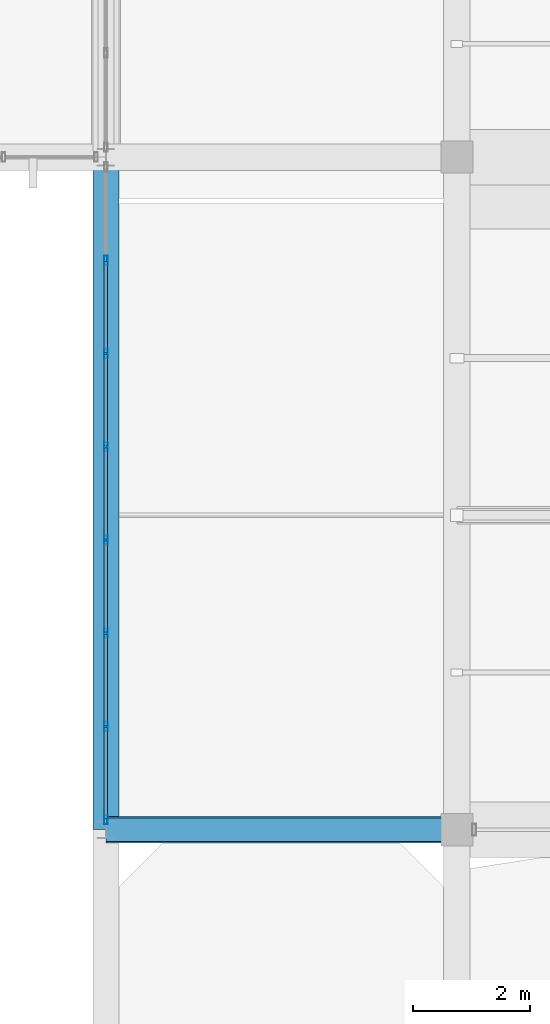
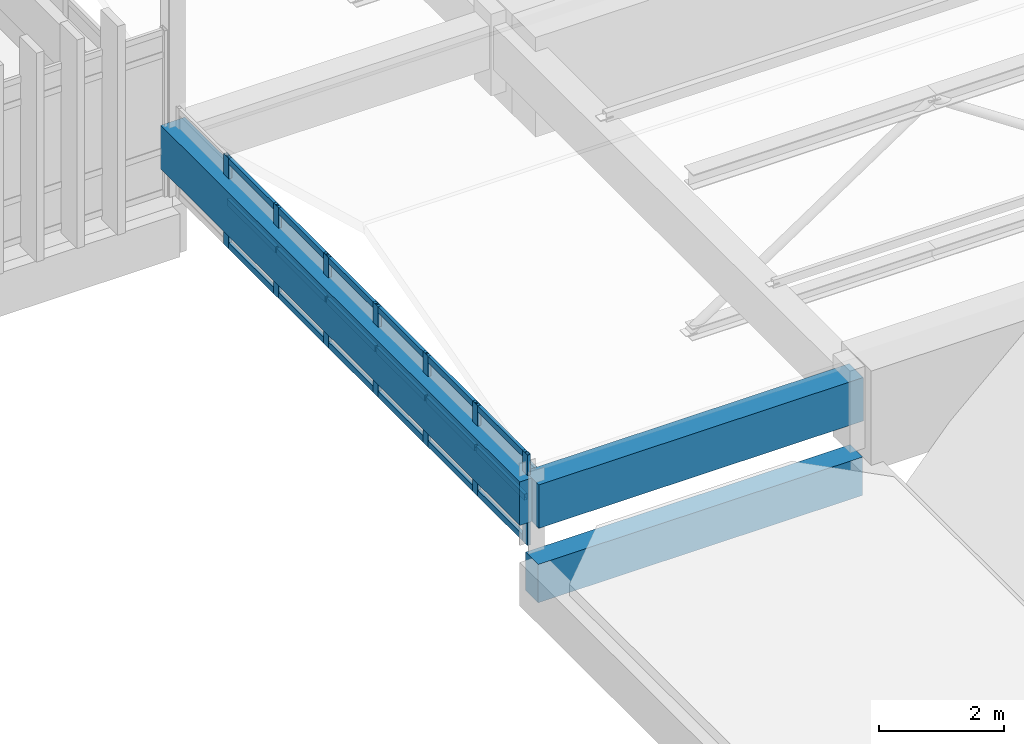
# One storey, part 24 of 82: 25 members, 3 beams, 1 element without a shape of its own.
"""IFC4 building model written with IfcOpenShell, lengths in metres."""

from ifc_helpers import new_model, si_unit, direction, frame, origin, origin_2d, place, context, subcontext, project, spatial, rectangle, hollow_rectangle, extrude, material, layer, layer_set, material_profile, profile_set, type_object, element, aggregate, save


model = new_model("IFC4")

# Units and contexts
model_context = context("Model", 3, precision=1e-05, world=origin(), true_north=direction((0.0, 1.0)))
body_context = subcontext(model_context, "Body", "Model", "MODEL_VIEW")
ifc_project = project(units=[si_unit("LENGTHUNIT", "METRE"), si_unit("AREAUNIT", "SQUARE_METRE"), si_unit("VOLUMEUNIT", "CUBIC_METRE"), si_unit("PLANEANGLEUNIT", "RADIAN"), si_unit("MASSUNIT", "GRAM", prefix="KILO")], contexts=[model_context])

# Site, building, storey
site_placement = place(None, origin())
site = spatial("IfcSite", under=ifc_project, at=site_placement, CompositionType="ELEMENT")
building_placement = place(site_placement, origin())
building = spatial("IfcBuilding", under=site, at=building_placement, Name="Mersad Railyard Sports Hall", CompositionType="ELEMENT")
storey_placement = place(building_placement, frame((0.0, 0.0, 13.199951171875)))
storey = spatial("IfcBuildingStorey", under=building, at=storey_placement, Name="L03", CompositionType="ELEMENT", Elevation=13.199951171875)

# Curtain wall, members
ifc_material_1 = material(Name="Aluminium 6063-T6", Category="aluminium")
ifc_layer = layer(ifc_material_1, 0.159912109375)
ifc_layer_set = layer_set([ifc_layer], Name="Aluminium 6063-T6")
curtain_wall_type = type_object("IfcCurtainWallType", Name="ARC-CW-CW21", PredefinedType="USERDEFINED", material=ifc_layer_set)
curtain_wall_placement = place(storey_placement, origin())
curtain_wall = element("IfcCurtainWall", 1, at=curtain_wall_placement, inside=storey, type_object=curtain_wall_type, Name="Curtain wall CW21-0080", ObjectType="CURTAIN WALL", PredefinedType="USERDEFINED")
ifc_material_profile_1 = material_profile(ifc_material_1, hollow_rectangle(XDim=0.06005859375, YDim=0.159912109375, WallThickness=0.00390625, at=origin_2d()), Name="AL MULLION 60x160x4")
ifc_profile_set_1 = profile_set([ifc_material_profile_1], Name="Aluminium 6063-T6")
member_type_1 = type_object("IfcMemberType", Name="ARC-CW-MUL01", PredefinedType="MULLION", material=ifc_profile_set_1)
member_1_placement = place(storey_placement, frame((131.0, 73.669921875, -0.02001953125), z_axis=(0.0, 0.0, 1.0), x_axis=(1.0, 0.0, 0.0)))
member_1 = element("IfcMember", 2, at=member_1_placement, type_object=member_type_1, Name="CW21 Mullion 1", PredefinedType="MULLION", context=body_context, shape_type="SweptSolid", body=[
    extrude(hollow_rectangle(XDim=0.06005859375, YDim=0.159912109375, WallThickness=0.00390625, at=origin_2d()), origin(), (0.0, 0.0, 1.0), 1.77001953125),
])
member_2_placement = place(storey_placement, frame((131.0, 75.264404296875, -0.02001953125), z_axis=(0.0, 0.0, 1.0), x_axis=(1.0, 0.0, 0.0)))
member_2 = element("IfcMember", 3, at=member_2_placement, type_object=member_type_1, Name="CW21 Mullion 2", PredefinedType="MULLION", context=body_context, shape_type="SweptSolid", body=[
    extrude(hollow_rectangle(XDim=0.06005859375, YDim=0.159912109375, WallThickness=0.00390625, at=origin_2d()), origin(), (0.0, 0.0, 1.0), 1.77001953125),
])
member_3_placement = place(storey_placement, frame((131.0, 76.858642578125, -0.02001953125), z_axis=(0.0, 0.0, 1.0), x_axis=(1.0, 0.0, 0.0)))
member_3 = element("IfcMember", 4, at=member_3_placement, type_object=member_type_1, Name="CW21 Mullion 3", PredefinedType="MULLION", context=body_context, shape_type="SweptSolid", body=[
    extrude(hollow_rectangle(XDim=0.06005859375, YDim=0.159912109375, WallThickness=0.00390625, at=origin_2d()), origin(), (0.0, 0.0, 1.0), 1.77001953125),
])
member_4_placement = place(storey_placement, frame((131.0, 78.452880859375, -0.02001953125), z_axis=(0.0, 0.0, 1.0), x_axis=(1.0, 0.0, 0.0)))
member_4 = element("IfcMember", 5, at=member_4_placement, type_object=member_type_1, Name="CW21 Mullion 4", PredefinedType="MULLION", context=body_context, shape_type="SweptSolid", body=[
    extrude(hollow_rectangle(XDim=0.06005859375, YDim=0.159912109375, WallThickness=0.00390625, at=origin_2d()), origin(), (0.0, 0.0, 1.0), 1.77001953125),
])
member_5_placement = place(storey_placement, frame((131.0, 80.047119140625, -0.02001953125), z_axis=(0.0, 0.0, 1.0), x_axis=(1.0, 0.0, 0.0)))
member_5 = element("IfcMember", 6, at=member_5_placement, type_object=member_type_1, Name="CW21 Mullion 5", PredefinedType="MULLION", context=body_context, shape_type="SweptSolid", body=[
    extrude(hollow_rectangle(XDim=0.06005859375, YDim=0.159912109375, WallThickness=0.00390625, at=origin_2d()), origin(), (0.0, 0.0, 1.0), 1.77001953125),
])
member_6_placement = place(storey_placement, frame((131.0, 81.641357421875, -0.02001953125), z_axis=(0.0, 0.0, 1.0), x_axis=(1.0, 0.0, 0.0)))
member_6 = element("IfcMember", 7, at=member_6_placement, type_object=member_type_1, Name="CW21 Mullion 6", PredefinedType="MULLION", context=body_context, shape_type="SweptSolid", body=[
    extrude(hollow_rectangle(XDim=0.06005859375, YDim=0.159912109375, WallThickness=0.00390625, at=origin_2d()), origin(), (0.0, 0.0, 1.0), 1.77001953125),
])
member_7_placement = place(storey_placement, frame((131.0, 83.235595703125, -0.02001953125), z_axis=(0.0, 0.0, 1.0), x_axis=(1.0, 0.0, 0.0)))
member_7 = element("IfcMember", 8, at=member_7_placement, type_object=member_type_1, Name="CW21 Mullion 7", PredefinedType="MULLION", context=body_context, shape_type="SweptSolid", body=[
    extrude(hollow_rectangle(XDim=0.06005859375, YDim=0.159912109375, WallThickness=0.00390625, at=origin_2d()), origin(), (0.0, 0.0, 1.0), 1.77001953125),
])
ifc_material_profile_2 = material_profile(ifc_material_1, hollow_rectangle(XDim=0.06005859375, YDim=0.1201171875, WallThickness=0.00390625, at=origin_2d()), Name="AL TRANSOM 60x120x4")
ifc_profile_set_2 = profile_set([ifc_material_profile_2], Name="Aluminium 6063-T6")
member_type_2 = type_object("IfcMemberType", Name="ARC-CW-TRN01", PredefinedType="USERDEFINED", material=ifc_profile_set_2)
member_8_placement = place(storey_placement, frame((131.0, 73.68994140625, 0.0400390625), z_axis=(0.0, 1.0, 0.0), x_axis=(-1.0, 0.0, 0.0)))
member_8 = element("IfcMember", 9, at=member_8_placement, type_object=member_type_2, Name="CW21 Transom 1-1", ObjectType="TRANSOM", PredefinedType="USERDEFINED", context=body_context, shape_type="SweptSolid", body=[
    extrude(hollow_rectangle(XDim=0.06005859375, YDim=0.1201171875, WallThickness=0.00390625, at=origin_2d()), origin(), (0.0, 0.0, 1.0), 1.554443359375),
])
member_9_placement = place(storey_placement, frame((131.0, 75.2841796875, 0.0400390625), z_axis=(0.0, 1.0, 0.0), x_axis=(-1.0, 0.0, 0.0)))
member_9 = element("IfcMember", 10, at=member_9_placement, type_object=member_type_2, Name="CW21 Transom 1-2", ObjectType="TRANSOM", PredefinedType="USERDEFINED", context=body_context, shape_type="SweptSolid", body=[
    extrude(hollow_rectangle(XDim=0.06005859375, YDim=0.1201171875, WallThickness=0.00390625, at=origin_2d()), origin(), (0.0, 0.0, 1.0), 1.554443359375),
])
member_10_placement = place(storey_placement, frame((131.0, 76.878662109375, 0.0400390625), z_axis=(0.0, 1.0, 0.0), x_axis=(-1.0, 0.0, 0.0)))
member_10 = element("IfcMember", 11, at=member_10_placement, type_object=member_type_2, Name="CW21 Transom 1-3", ObjectType="TRANSOM", PredefinedType="USERDEFINED", context=body_context, shape_type="SweptSolid", body=[
    extrude(hollow_rectangle(XDim=0.06005859375, YDim=0.1201171875, WallThickness=0.00390625, at=origin_2d()), origin(), (0.0, 0.0, 1.0), 1.55419921875),
])
member_11_placement = place(storey_placement, frame((131.0, 78.472900390625, 0.0400390625), z_axis=(0.0, 1.0, 0.0), x_axis=(-1.0, 0.0, 0.0)))
member_11 = element("IfcMember", 12, at=member_11_placement, type_object=member_type_2, Name="CW21 Transom 1-4", ObjectType="TRANSOM", PredefinedType="USERDEFINED", context=body_context, shape_type="SweptSolid", body=[
    extrude(hollow_rectangle(XDim=0.06005859375, YDim=0.1201171875, WallThickness=0.00390625, at=origin_2d()), origin(), (0.0, 0.0, 1.0), 1.55419921875),
])
member_12_placement = place(storey_placement, frame((131.0, 80.067138671875, 0.0400390625), z_axis=(0.0, 1.0, 0.0), x_axis=(-1.0, 0.0, 0.0)))
member_12 = element("IfcMember", 13, at=member_12_placement, type_object=member_type_2, Name="CW21 Transom 1-5", ObjectType="TRANSOM", PredefinedType="USERDEFINED", context=body_context, shape_type="SweptSolid", body=[
    extrude(hollow_rectangle(XDim=0.06005859375, YDim=0.1201171875, WallThickness=0.00390625, at=origin_2d()), origin(), (0.0, 0.0, 1.0), 1.55419921875),
])
member_13_placement = place(storey_placement, frame((131.0, 81.661376953125, 0.0400390625), z_axis=(0.0, 1.0, 0.0), x_axis=(-1.0, 0.0, 0.0)))
member_13 = element("IfcMember", 14, at=member_13_placement, type_object=member_type_2, Name="CW21 Transom 1-6", ObjectType="TRANSOM", PredefinedType="USERDEFINED", context=body_context, shape_type="SweptSolid", body=[
    extrude(hollow_rectangle(XDim=0.06005859375, YDim=0.1201171875, WallThickness=0.00390625, at=origin_2d()), origin(), (0.0, 0.0, 1.0), 1.554443359375),
])
member_14_placement = place(storey_placement, frame((131.0, 73.68994140625, 0.864990234375), z_axis=(0.0, 1.0, 0.0), x_axis=(-1.0, 0.0, 0.0)))
member_14 = element("IfcMember", 15, at=member_14_placement, type_object=member_type_2, Name="CW21 Transom 2-1", ObjectType="TRANSOM", PredefinedType="USERDEFINED", context=body_context, shape_type="SweptSolid", body=[
    extrude(hollow_rectangle(XDim=0.06005859375, YDim=0.1201171875, WallThickness=0.00390625, at=origin_2d()), origin(), (0.0, 0.0, 1.0), 1.554443359375),
])
member_15_placement = place(storey_placement, frame((131.0, 75.2841796875, 0.864990234375), z_axis=(0.0, 1.0, 0.0), x_axis=(-1.0, 0.0, 0.0)))
member_15 = element("IfcMember", 16, at=member_15_placement, type_object=member_type_2, Name="CW21 Transom 2-2", ObjectType="TRANSOM", PredefinedType="USERDEFINED", context=body_context, shape_type="SweptSolid", body=[
    extrude(hollow_rectangle(XDim=0.06005859375, YDim=0.1201171875, WallThickness=0.00390625, at=origin_2d()), origin(), (0.0, 0.0, 1.0), 1.554443359375),
])
member_16_placement = place(storey_placement, frame((131.0, 76.878662109375, 0.864990234375), z_axis=(0.0, 1.0, 0.0), x_axis=(-1.0, 0.0, 0.0)))
member_16 = element("IfcMember", 17, at=member_16_placement, type_object=member_type_2, Name="CW21 Transom 2-3", ObjectType="TRANSOM", PredefinedType="USERDEFINED", context=body_context, shape_type="SweptSolid", body=[
    extrude(hollow_rectangle(XDim=0.06005859375, YDim=0.1201171875, WallThickness=0.00390625, at=origin_2d()), origin(), (0.0, 0.0, 1.0), 1.55419921875),
])
member_17_placement = place(storey_placement, frame((131.0, 78.472900390625, 0.864990234375), z_axis=(0.0, 1.0, 0.0), x_axis=(-1.0, 0.0, 0.0)))
member_17 = element("IfcMember", 18, at=member_17_placement, type_object=member_type_2, Name="CW21 Transom 2-4", ObjectType="TRANSOM", PredefinedType="USERDEFINED", context=body_context, shape_type="SweptSolid", body=[
    extrude(hollow_rectangle(XDim=0.06005859375, YDim=0.1201171875, WallThickness=0.00390625, at=origin_2d()), origin(), (0.0, 0.0, 1.0), 1.55419921875),
])
member_18_placement = place(storey_placement, frame((131.0, 80.067138671875, 0.864990234375), z_axis=(0.0, 1.0, 0.0), x_axis=(-1.0, 0.0, 0.0)))
member_18 = element("IfcMember", 19, at=member_18_placement, type_object=member_type_2, Name="CW21 Transom 2-5", ObjectType="TRANSOM", PredefinedType="USERDEFINED", context=body_context, shape_type="SweptSolid", body=[
    extrude(hollow_rectangle(XDim=0.06005859375, YDim=0.1201171875, WallThickness=0.00390625, at=origin_2d()), origin(), (0.0, 0.0, 1.0), 1.55419921875),
])
member_19_placement = place(storey_placement, frame((131.0, 81.661376953125, 0.864990234375), z_axis=(0.0, 1.0, 0.0), x_axis=(-1.0, 0.0, 0.0)))
member_19 = element("IfcMember", 20, at=member_19_placement, type_object=member_type_2, Name="CW21 Transom 2-6", ObjectType="TRANSOM", PredefinedType="USERDEFINED", context=body_context, shape_type="SweptSolid", body=[
    extrude(hollow_rectangle(XDim=0.06005859375, YDim=0.1201171875, WallThickness=0.00390625, at=origin_2d()), origin(), (0.0, 0.0, 1.0), 1.554443359375),
])
member_20_placement = place(storey_placement, frame((131.0, 73.68994140625, 1.68994140625), z_axis=(0.0, 1.0, 0.0), x_axis=(-1.0, 0.0, 0.0)))
member_20 = element("IfcMember", 21, at=member_20_placement, type_object=member_type_2, Name="CW21 Transom 3-1", ObjectType="TRANSOM", PredefinedType="USERDEFINED", context=body_context, shape_type="SweptSolid", body=[
    extrude(hollow_rectangle(XDim=0.06005859375, YDim=0.1201171875, WallThickness=0.00390625, at=origin_2d()), origin(), (0.0, 0.0, 1.0), 1.554443359375),
])
member_21_placement = place(storey_placement, frame((131.0, 75.2841796875, 1.68994140625), z_axis=(0.0, 1.0, 0.0), x_axis=(-1.0, 0.0, 0.0)))
member_21 = element("IfcMember", 22, at=member_21_placement, type_object=member_type_2, Name="CW21 Transom 3-2", ObjectType="TRANSOM", PredefinedType="USERDEFINED", context=body_context, shape_type="SweptSolid", body=[
    extrude(hollow_rectangle(XDim=0.06005859375, YDim=0.1201171875, WallThickness=0.00390625, at=origin_2d()), origin(), (0.0, 0.0, 1.0), 1.554443359375),
])
member_22_placement = place(storey_placement, frame((131.0, 76.878662109375, 1.68994140625), z_axis=(0.0, 1.0, 0.0), x_axis=(-1.0, 0.0, 0.0)))
member_22 = element("IfcMember", 23, at=member_22_placement, type_object=member_type_2, Name="CW21 Transom 3-3", ObjectType="TRANSOM", PredefinedType="USERDEFINED", context=body_context, shape_type="SweptSolid", body=[
    extrude(hollow_rectangle(XDim=0.06005859375, YDim=0.1201171875, WallThickness=0.00390625, at=origin_2d()), origin(), (0.0, 0.0, 1.0), 1.55419921875),
])
member_23_placement = place(storey_placement, frame((131.0, 78.472900390625, 1.68994140625), z_axis=(0.0, 1.0, 0.0), x_axis=(-1.0, 0.0, 0.0)))
member_23 = element("IfcMember", 24, at=member_23_placement, type_object=member_type_2, Name="CW21 Transom 3-4", ObjectType="TRANSOM", PredefinedType="USERDEFINED", context=body_context, shape_type="SweptSolid", body=[
    extrude(hollow_rectangle(XDim=0.06005859375, YDim=0.1201171875, WallThickness=0.00390625, at=origin_2d()), origin(), (0.0, 0.0, 1.0), 1.55419921875),
])
member_24_placement = place(storey_placement, frame((131.0, 80.067138671875, 1.68994140625), z_axis=(0.0, 1.0, 0.0), x_axis=(-1.0, 0.0, 0.0)))
member_24 = element("IfcMember", 25, at=member_24_placement, type_object=member_type_2, Name="CW21 Transom 3-5", ObjectType="TRANSOM", PredefinedType="USERDEFINED", context=body_context, shape_type="SweptSolid", body=[
    extrude(hollow_rectangle(XDim=0.06005859375, YDim=0.1201171875, WallThickness=0.00390625, at=origin_2d()), origin(), (0.0, 0.0, 1.0), 1.55419921875),
])
member_25_placement = place(storey_placement, frame((131.0, 81.661376953125, 1.68994140625), z_axis=(0.0, 1.0, 0.0), x_axis=(-1.0, 0.0, 0.0)))
member_25 = element("IfcMember", 26, at=member_25_placement, type_object=member_type_2, Name="CW21 Transom 3-6", ObjectType="TRANSOM", PredefinedType="USERDEFINED", context=body_context, shape_type="SweptSolid", body=[
    extrude(hollow_rectangle(XDim=0.06005859375, YDim=0.1201171875, WallThickness=0.00390625, at=origin_2d()), origin(), (0.0, 0.0, 1.0), 1.554443359375),
])
aggregate(curtain_wall, [member_1, member_2, member_3, member_4, member_5, member_6, member_7, member_8, member_9, member_10, member_11, member_12, member_13, member_14, member_15, member_16, member_17, member_18, member_19, member_20, member_21, member_22, member_23, member_24, member_25])

# Beams
ifc_material_2 = material(Name="Concrete C40/50", Category="concrete")
ifc_material_profile_3 = material_profile(ifc_material_2, rectangle(XDim=0.39990234375, YDim=0.75, at=origin_2d()), Name="RC 400x750")
ifc_profile_set_3 = profile_set([ifc_material_profile_3], Name="Concrete C40/50")
beam_type_1 = type_object("IfcBeamType", Name="STR-BM-B01", PredefinedType="BEAM", material=ifc_profile_set_3)
beam_1_placement = place(storey_placement, frame((131.0, 73.5, -0.594970703125), z_axis=(1.0, 0.0, 0.0), x_axis=(0.0, 1.0, 0.0)))
element("IfcBeam", 27, at=beam_1_placement, inside=storey, type_object=beam_type_1, Name="Beam B01-0668", PredefinedType="BEAM", context=body_context, shape_type="SweptSolid", body=[
    extrude(rectangle(XDim=0.39990234375, YDim=0.75, at=origin_2d()), origin(), (0.0, 0.0, 1.0), 6.0),
])
ifc_material_profile_4 = material_profile(ifc_material_2, rectangle(XDim=0.449951171875, YDim=0.85009765625, at=origin_2d()), Name="RC 450x850")
ifc_profile_set_4 = profile_set([ifc_material_profile_4], Name="Concrete C40/50")
beam_type_2 = type_object("IfcBeamType", Name="STR-BM-B02", PredefinedType="BEAM", material=ifc_profile_set_4)
beam_2_placement = place(storey_placement, frame((131.0, 73.5, 0.925048828125), z_axis=(1.0, 0.0, 0.0), x_axis=(0.0, 1.0, 0.0)))
element("IfcBeam", 28, at=beam_2_placement, inside=storey, type_object=beam_type_2, Name="Beam B02-0907", PredefinedType="BEAM", context=body_context, shape_type="SweptSolid", body=[
    extrude(rectangle(XDim=0.449951171875, YDim=0.85009765625, at=origin_2d()), origin(), (0.0, 0.0, 1.0), 6.0),
])
beam_3_placement = place(storey_placement, frame((131.0, 73.5, 0.925048828125), z_axis=(0.0, 1.0, 0.0), x_axis=(-1.0, 0.0, 0.0)))
element("IfcBeam", 29, at=beam_3_placement, inside=storey, type_object=beam_type_2, Name="Beam B02-0910", PredefinedType="BEAM", context=body_context, shape_type="SweptSolid", body=[
    extrude(rectangle(XDim=0.449951171875, YDim=0.85009765625, at=origin_2d()), origin(), (0.0, 0.0, 1.0), 11.5),
])

save(model, "model.ifc")
